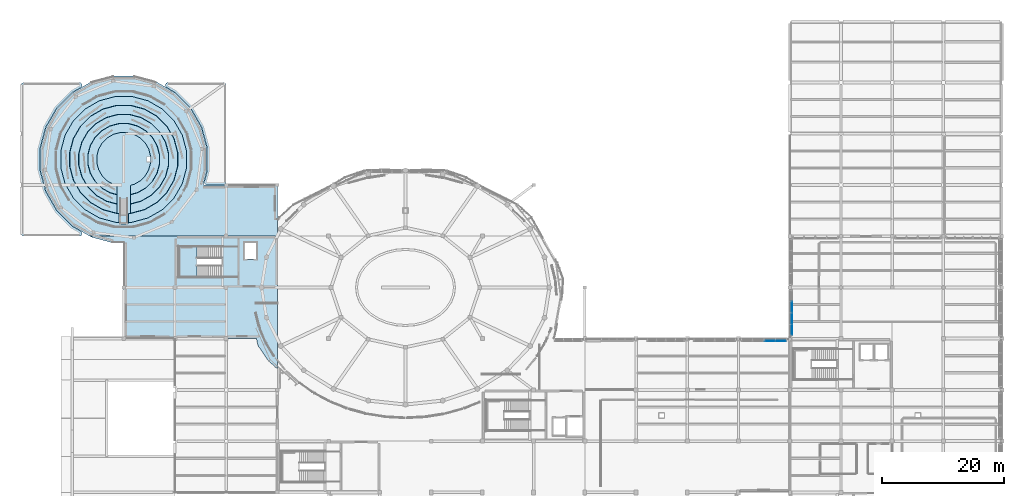
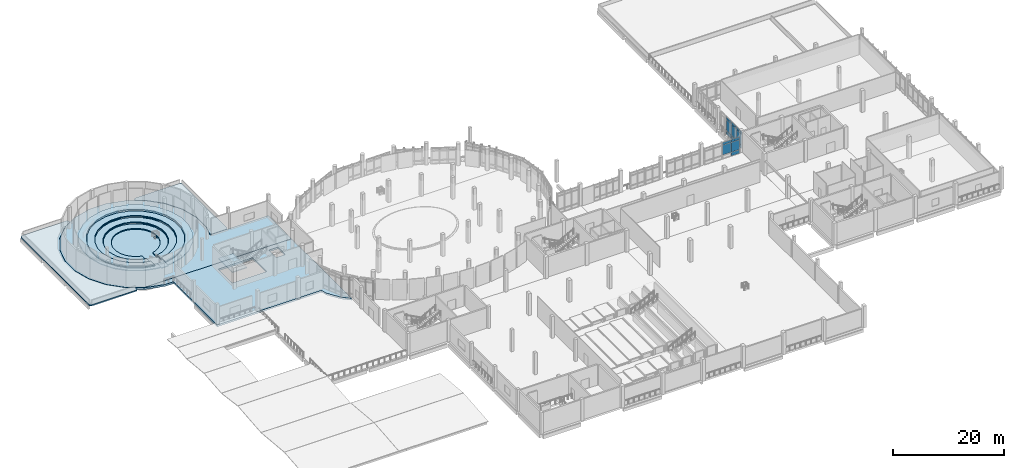
# One storey, part 35 of 63: 14 plates, 10 slabs, 5 elements without a shape of their own.
"""IFC4 building model written with IfcOpenShell, lengths in metres."""

from ifc_helpers import new_model, si_unit, derived_unit, direction, frame, origin, origin_2d, place, context, subcontext, project, spatial, polyline, rectangle, outline, extrude, material, layer, layer_set, type_object, element, aggregate, save


model = new_model("IFC4")

# Units and contexts
model_context = context("Model", 3, precision=1e-05, world=origin(), true_north=direction((0.0, 1.0)))
body_context = subcontext(model_context, "Body", "Model", "MODEL_VIEW")
ifc_project = project(units=[si_unit("LENGTHUNIT", "METRE"), si_unit("AREAUNIT", "SQUARE_METRE"), si_unit("VOLUMEUNIT", "CUBIC_METRE"), si_unit("PLANEANGLEUNIT", "RADIAN"), si_unit("MASSUNIT", "GRAM", prefix="KILO"), derived_unit("THERMALTRANSMITTANCEUNIT", [(si_unit("POWERUNIT", "WATT"), 1), (si_unit("LENGTHUNIT", "METRE"), -2), (si_unit("THERMODYNAMICTEMPERATUREUNIT", "KELVIN"), -1)])], contexts=[model_context])

# Site, building, storey
site_placement = place(None, origin())
site = spatial("IfcSite", under=ifc_project, at=site_placement, CompositionType="ELEMENT")
building_placement = place(site_placement, origin())
building = spatial("IfcBuilding", under=site, at=building_placement, Name="Elbkamm Science Centre", CompositionType="ELEMENT")
storey_placement = place(building_placement, frame((0.0, 0.0, 5.10009765625)))
storey = spatial("IfcBuildingStorey", under=building, at=storey_placement, Name="L01", CompositionType="ELEMENT", Elevation=5.10009765625)

# Curtain wall, plates
ifc_material_1 = material(Name="Powder-coated aluminium and triple low-E glazing", Category="aluminium")
ifc_layer_1 = layer(ifc_material_1, 0.159912109375)
ifc_layer_set_1 = layer_set([ifc_layer_1], Name="Powder-coated aluminium and triple low-E glazing")
curtain_wall_type_1 = type_object("IfcCurtainWallType", Name="CW-UNIT-3640x3700", PredefinedType="USERDEFINED", material=ifc_layer_set_1)
curtain_wall_1_placement = place(storey_placement, origin())
curtain_wall_1 = element("IfcCurtainWall", 1, at=curtain_wall_1_placement, inside=storey, type_object=curtain_wall_type_1, Name="L01 Unitised Curtain Wall 154", ObjectType="UNITISED CURTAIN WALL", PredefinedType="USERDEFINED")
ifc_material_2 = material(Name="Triple solar-control insulated safety glass", Category="glass")
ifc_layer_2 = layer(ifc_material_2, 0.048095703125)
ifc_layer_set_2 = layer_set([ifc_layer_2], Name="Triple solar-control insulated safety glass")
plate_type = type_object("IfcPlateType", Name="CW-PNL-48", PredefinedType="CURTAIN_PANEL", material=ifc_layer_set_2)
plate_1_placement = place(storey_placement, frame((122.736083984375, 58.419921875, 0.885009765625), z_axis=(0.0, 0.0, 1.0), x_axis=(1.0, 0.0, 0.0)))
plate_1 = element("IfcPlate", 2, at=plate_1_placement, type_object=plate_type, Name="CW-073 panel 1.2", PredefinedType="CURTAIN_PANEL", context=body_context, shape_type="SweptSolid", body=[
    extrude(rectangle(XDim=1.716064453125, YDim=0.048095703125, at=origin_2d()), origin(), (0.0, 0.0, 1.0), 2.1298828125),
])
plate_2_placement = place(storey_placement, frame((122.736083984375, 58.419921875, 3.0849609375), z_axis=(0.0, 0.0, 1.0), x_axis=(1.0, 0.0, 0.0)))
plate_2 = element("IfcPlate", 3, at=plate_2_placement, type_object=plate_type, Name="CW-073 panel 1.3", PredefinedType="CURTAIN_PANEL", context=body_context, shape_type="SweptSolid", body=[
    extrude(rectangle(XDim=1.716064453125, YDim=0.048095703125, at=origin_2d()), origin(), (0.0, 0.0, 1.0), 0.544921875),
])
plate_3_placement = place(storey_placement, frame((124.52197265625, 58.419921875, 0.06982421875), z_axis=(0.0, 0.0, 1.0), x_axis=(1.0, 0.0, 0.0)))
plate_3 = element("IfcPlate", 4, at=plate_3_placement, type_object=plate_type, Name="CW-073 panel 2.1", PredefinedType="CURTAIN_PANEL", context=body_context, shape_type="SweptSolid", body=[
    extrude(rectangle(XDim=1.716064453125, YDim=0.048095703125, at=origin_2d()), origin(), (0.0, 0.0, 1.0), 0.7451171875),
])
plate_4_placement = place(storey_placement, frame((124.52197265625, 58.419921875, 0.885009765625), z_axis=(0.0, 0.0, 1.0), x_axis=(1.0, 0.0, 0.0)))
plate_4 = element("IfcPlate", 5, at=plate_4_placement, type_object=plate_type, Name="CW-073 panel 2.2", PredefinedType="CURTAIN_PANEL", context=body_context, shape_type="SweptSolid", body=[
    extrude(rectangle(XDim=1.716064453125, YDim=0.048095703125, at=origin_2d()), origin(), (0.0, 0.0, 1.0), 2.1298828125),
])
plate_5_placement = place(storey_placement, frame((124.52197265625, 58.419921875, 3.0849609375), z_axis=(0.0, 0.0, 1.0), x_axis=(1.0, 0.0, 0.0)))
plate_5 = element("IfcPlate", 6, at=plate_5_placement, type_object=plate_type, Name="CW-073 panel 2.3", PredefinedType="CURTAIN_PANEL", context=body_context, shape_type="SweptSolid", body=[
    extrude(rectangle(XDim=1.716064453125, YDim=0.048095703125, at=origin_2d()), origin(), (0.0, 0.0, 1.0), 0.544921875),
])
aggregate(curtain_wall_1, [plate_1, plate_2, plate_3, plate_4, plate_5])

ifc_layer_3 = layer(ifc_material_1, 0.159912109375)
ifc_layer_set_3 = layer_set([ifc_layer_3], Name="Powder-coated aluminium and triple low-E glazing")
curtain_wall_type_2 = type_object("IfcCurtainWallType", Name="CW-UNIT-3640x3900", PredefinedType="USERDEFINED", material=ifc_layer_set_3)
curtain_wall_2_placement = place(storey_placement, origin())
curtain_wall_2 = element("IfcCurtainWall", 7, at=curtain_wall_2_placement, inside=storey, type_object=curtain_wall_type_2, Name="L01 Unitised Curtain Wall 155", ObjectType="UNITISED CURTAIN WALL", PredefinedType="USERDEFINED")
plate_6_placement = place(storey_placement, frame((126.3798828125, 60.278076171875, 0.06982421875), z_axis=(0.0, 0.0, 1.0), x_axis=(0.0, 1.0, 0.0)))
plate_6 = element("IfcPlate", 8, at=plate_6_placement, type_object=plate_type, Name="CW-065 panel 1.1", PredefinedType="CURTAIN_PANEL", context=body_context, shape_type="SweptSolid", body=[
    extrude(rectangle(XDim=1.716064453125, YDim=0.048095703125, at=origin_2d()), origin(), (0.0, 0.0, 1.0), 0.7451171875),
])
plate_7_placement = place(storey_placement, frame((126.3798828125, 60.278076171875, 0.884765625), z_axis=(0.0, 0.0, 1.0), x_axis=(0.0, 1.0, 0.0)))
plate_7 = element("IfcPlate", 9, at=plate_7_placement, type_object=plate_type, Name="CW-065 panel 1.2", PredefinedType="CURTAIN_PANEL", context=body_context, shape_type="SweptSolid", body=[
    extrude(rectangle(XDim=1.716064453125, YDim=0.048095703125, at=origin_2d()), origin(), (0.0, 0.0, 1.0), 2.330078125),
])
plate_8_placement = place(storey_placement, frame((126.3798828125, 60.278076171875, 3.284912109375), z_axis=(0.0, 0.0, 1.0), x_axis=(0.0, 1.0, 0.0)))
plate_8 = element("IfcPlate", 10, at=plate_8_placement, type_object=plate_type, Name="CW-065 panel 1.3", PredefinedType="CURTAIN_PANEL", context=body_context, shape_type="SweptSolid", body=[
    extrude(rectangle(XDim=1.716064453125, YDim=0.048095703125, at=origin_2d()), origin(), (0.0, 0.0, 1.0), 0.544921875),
])
plate_9_placement = place(storey_placement, frame((126.3798828125, 62.06396484375, 0.06982421875), z_axis=(0.0, 0.0, 1.0), x_axis=(0.0, 1.0, 0.0)))
plate_9 = element("IfcPlate", 11, at=plate_9_placement, type_object=plate_type, Name="CW-065 panel 2.1", PredefinedType="CURTAIN_PANEL", context=body_context, shape_type="SweptSolid", body=[
    extrude(rectangle(XDim=1.716064453125, YDim=0.048095703125, at=origin_2d()), origin(), (0.0, 0.0, 1.0), 0.7451171875),
])
plate_10_placement = place(storey_placement, frame((126.3798828125, 62.06396484375, 0.884765625), z_axis=(0.0, 0.0, 1.0), x_axis=(0.0, 1.0, 0.0)))
plate_10 = element("IfcPlate", 12, at=plate_10_placement, type_object=plate_type, Name="CW-065 panel 2.2", PredefinedType="CURTAIN_PANEL", context=body_context, shape_type="SweptSolid", body=[
    extrude(rectangle(XDim=1.716064453125, YDim=0.048095703125, at=origin_2d()), origin(), (0.0, 0.0, 1.0), 2.330078125),
])
plate_11_placement = place(storey_placement, frame((126.3798828125, 62.06396484375, 3.284912109375), z_axis=(0.0, 0.0, 1.0), x_axis=(0.0, 1.0, 0.0)))
plate_11 = element("IfcPlate", 13, at=plate_11_placement, type_object=plate_type, Name="CW-065 panel 2.3", PredefinedType="CURTAIN_PANEL", context=body_context, shape_type="SweptSolid", body=[
    extrude(rectangle(XDim=1.716064453125, YDim=0.048095703125, at=origin_2d()), origin(), (0.0, 0.0, 1.0), 0.544921875),
])
aggregate(curtain_wall_2, [plate_6, plate_7, plate_8, plate_9, plate_10, plate_11])

curtain_wall_3_placement = place(storey_placement, origin())
curtain_wall_3 = element("IfcCurtainWall", 14, at=curtain_wall_3_placement, inside=storey, type_object=curtain_wall_type_2, Name="L01 Unitised Curtain Wall 156", ObjectType="UNITISED CURTAIN WALL", PredefinedType="USERDEFINED")
plate_12_placement = place(storey_placement, frame((126.3798828125, 63.999755859375, 0.06982421875), z_axis=(0.0, 0.0, 1.0), x_axis=(0.0, 1.0, 0.0)))
plate_12 = element("IfcPlate", 15, at=plate_12_placement, type_object=plate_type, Name="CW-065 panel 1.1", PredefinedType="CURTAIN_PANEL", context=body_context, shape_type="SweptSolid", body=[
    extrude(rectangle(XDim=1.7158203125, YDim=0.048095703125, at=origin_2d()), origin(), (0.0, 0.0, 1.0), 0.7451171875),
])
plate_13_placement = place(storey_placement, frame((126.3798828125, 63.999755859375, 0.884765625), z_axis=(0.0, 0.0, 1.0), x_axis=(0.0, 1.0, 0.0)))
plate_13 = element("IfcPlate", 16, at=plate_13_placement, type_object=plate_type, Name="CW-065 panel 1.2", PredefinedType="CURTAIN_PANEL", context=body_context, shape_type="SweptSolid", body=[
    extrude(rectangle(XDim=1.7158203125, YDim=0.048095703125, at=origin_2d()), origin(), (0.0, 0.0, 1.0), 2.330078125),
])
plate_14_placement = place(storey_placement, frame((126.3798828125, 63.999755859375, 3.284912109375), z_axis=(0.0, 0.0, 1.0), x_axis=(0.0, 1.0, 0.0)))
plate_14 = element("IfcPlate", 17, at=plate_14_placement, type_object=plate_type, Name="CW-065 panel 1.3", PredefinedType="CURTAIN_PANEL", context=body_context, shape_type="SweptSolid", body=[
    extrude(rectangle(XDim=1.7158203125, YDim=0.048095703125, at=origin_2d()), origin(), (0.0, 0.0, 1.0), 0.544921875),
])
aggregate(curtain_wall_3, [plate_12, plate_13, plate_14])

# Slabs
ifc_material_3 = material(Name="Reinforced concrete C40/50", Category="concrete")
ifc_layer_4 = layer(ifc_material_3, 0.39990234375)
ifc_layer_set_4 = layer_set([ifc_layer_4], Name="Reinforced concrete C40/50")
slab_type_1 = type_object("IfcSlabType", Name="SLAB-FLR-400", PredefinedType="FLOOR", material=ifc_layer_set_4)
slab_1_placement = place(storey_placement, frame((0.0, 0.0, -0.400146484375)))
element("IfcSlab", 18, at=slab_1_placement, inside=storey, type_object=slab_type_1, Name="L01 Structural Slab WM-01", PredefinedType="FLOOR", context=body_context, shape_type="SweptSolid", body=[
    extrude(outline(polyline([(40.491943359375, 55.205078125), (38.839599609375, 57.62939453125), (38.557373046875, 58.800048828125), (16.800048828125, 58.800048828125), (16.800048828125, 74.51806640625), (14.998779296875, 74.51806640625), (11.51904296875, 75.450439453125), (11.260009765625, 75.60009765625), (42.0, 75.60009765625), (42.0, 53.877685546875), (40.491943359375, 55.205078125)]), holes=[polyline([(32.97998046875, 73.919921875), (25.800048828125, 73.919921875), (25.800048828125, 68.8798828125), (32.97998046875, 68.8798828125), (32.97998046875, 73.919921875)]), polyline([(38.550048828125, 74.550048828125), (36.64990234375, 74.550048828125), (36.64990234375, 71.85009765625), (38.550048828125, 71.85009765625), (38.550048828125, 74.550048828125)])]), origin(), (0.0, 0.0, 1.0), 0.400146484375),
])
slab_2_placement = place(storey_placement, frame((0.0, 0.0, -0.400146484375)))
element("IfcSlab", 19, at=slab_2_placement, inside=storey, type_object=slab_type_1, Name="L01 Structural Slab WN-02", PredefinedType="FLOOR", context=body_context, shape_type="SweptSolid", body=[
    extrude(outline(polyline([(4.050537109375, 82.9189453125), (3.1181640625, 86.398681640625), (3.1181640625, 90.001220703125), (4.050537109375, 93.48095703125), (5.851806640625, 96.600830078125), (8.399169921875, 99.148193359375), (11.51904296875, 100.949462890625), (14.998779296875, 101.8818359375), (18.601318359375, 101.8818359375), (22.0810546875, 100.949462890625), (25.200927734375, 99.148193359375), (27.748291015625, 96.600830078125), (29.549560546875, 93.48095703125), (30.48193359375, 90.001220703125), (30.48193359375, 86.398681640625), (29.839111328125, 84.0), (42.0, 84.0), (42.0, 78.25830078125), (42.0, 75.60009765625), (11.260009765625, 75.60009765625), (8.399169921875, 77.251708984375), (5.851806640625, 79.799072265625), (4.050537109375, 82.9189453125)]), holes=[polyline([(21.35009765625, 88.550048828125), (20.64990234375, 88.550048828125), (20.64990234375, 87.85009765625), (21.35009765625, 87.85009765625), (21.35009765625, 88.550048828125)])]), origin(), (0.0, 0.0, 1.0), 0.400146484375),
])

# Stair, slab
stair_type_1 = type_object("IfcStairType", Name="ST-TWO-28R-192", PredefinedType="USERDEFINED", material=ifc_material_3)
stair_1_placement = place(storey_placement, origin())
stair_1 = element("IfcStair", 20, at=stair_1_placement, inside=storey, type_object=stair_type_1, Name="L01 Core C1 Northwest Planetarium and Exhibition Core Escape Stair", ObjectType="TWO_RETURN_STAIR", PredefinedType="USERDEFINED")
ifc_layer_5 = layer(ifc_material_3, 0.199951171875)
ifc_layer_set_5 = layer_set([ifc_layer_5], Name="Reinforced concrete C40/50")
slab_type_2 = type_object("IfcSlabType", Name="SLAB-LAND-200", PredefinedType="LANDING", material=ifc_layer_set_5)
slab_3_placement = place(storey_placement, frame((0.0, 0.0, 2.199951171875)))
slab_3 = element("IfcSlab", 21, at=slab_3_placement, type_object=slab_type_2, Name="ST-C1 landing 1", PredefinedType="LANDING", context=body_context, shape_type="SweptSolid", body=[
    extrude(outline(polyline([(28.820068359375, 73.919921875), (25.800048828125, 73.919921875), (25.800048828125, 68.8798828125), (28.820068359375, 68.8798828125), (28.820068359375, 73.919921875)])), origin(), (0.0, 0.0, 1.0), 0.199951171875),
])
aggregate(stair_1, [slab_3])

stair_type_2 = type_object("IfcStairType", Name="ST-STR-9R-125", PredefinedType="STRAIGHT_RUN_STAIR", material=ifc_material_3)
stair_2_placement = place(storey_placement, origin())
stair_2 = element("IfcStair", 22, at=stair_2_placement, inside=storey, type_object=stair_type_2, Name="Planetarium Star Chamber Aisle Stair", PredefinedType="STRAIGHT_RUN_STAIR")
slab_4_placement = place(storey_placement, frame((0.0, 0.0, 1.239990234375)))
slab_4 = element("IfcSlab", 23, at=slab_4_placement, type_object=slab_type_2, Name="ST-PA1 landing 1", PredefinedType="LANDING", context=body_context, shape_type="SweptSolid", body=[
    extrude(outline(polyline([(16.10009765625, 77.60009765625), (17.5, 77.60009765625), (17.5, 79.260009765625), (16.10009765625, 79.260009765625), (16.10009765625, 77.60009765625)])), origin(), (0.0, 0.0, 1.0), 0.199951171875),
])
aggregate(stair_2, [slab_4])

# Slabs
ifc_layer_6 = layer(ifc_material_3, 0.27001953125)
ifc_layer_set_6 = layer_set([ifc_layer_6], Name="Reinforced concrete C40/50")
slab_type_3 = type_object("IfcSlabType", Name="SLAB-ROOF-270", PredefinedType="ROOF", material=ifc_layer_set_6)
slab_5_placement = place(storey_placement, frame((0.0, 0.0, -0.27001953125)))
element("IfcSlab", 24, at=slab_5_placement, inside=storey, type_object=slab_type_3, Name="L01 Step-Back Roof Slab 01", PredefinedType="ROOF", context=body_context, shape_type="SweptSolid", body=[
    extrude(outline(polyline([(33.59130859375, 84.39208984375), (33.58056640625, 84.349365234375), (33.565673828125, 84.307861328125), (33.546875, 84.267822265625), (33.524169921875, 84.22998046875), (33.497802734375, 84.194580078125), (33.46826171875, 84.161865234375), (33.435546875, 84.132080078125), (33.39990234375, 84.105712890625), (33.362060546875, 84.0830078125), (33.322265625, 84.064208984375), (33.280517578125, 84.04931640625), (33.23779296875, 84.03857421875), (33.194091796875, 84.0322265625), (33.14990234375, 84.030029296875), (30.464599609375, 84.030029296875), (30.42138671875, 84.031982421875), (30.37841796875, 84.038330078125), (30.336181640625, 84.048583984375), (30.29541015625, 84.06298828125), (30.256103515625, 84.081298828125), (30.218505859375, 84.103271484375), (30.183349609375, 84.128662109375), (30.15087890625, 84.157470703125), (30.121337890625, 84.189208984375), (30.094970703125, 84.2236328125), (30.072021484375, 84.260498046875), (30.052490234375, 84.29931640625), (30.037109375, 84.33984375), (30.025634765625, 84.381591796875), (30.018310546875, 84.42431640625), (30.014892578125, 84.467529296875), (30.015869140625, 84.510986328125), (30.020751953125, 84.55419921875), (30.030029296875, 84.596435546875), (30.23681640625, 85.36767578125), (30.509521484375, 86.38623046875), (30.510986328125, 86.390869140625), (30.511474609375, 86.3935546875), (30.51171875, 86.39599609375), (30.511962890625, 86.398681640625), (30.511962890625, 86.404296875), (30.511962890625, 89.996337890625), (30.511962890625, 90.001220703125), (30.51171875, 90.00390625), (30.511474609375, 90.006591796875), (30.510986328125, 90.009033203125), (30.509521484375, 90.014404296875), (29.57958984375, 93.48388671875), (29.57861328125, 93.48876953125), (29.57763671875, 93.4912109375), (29.57666015625, 93.49365234375), (29.575439453125, 93.49609375), (29.57275390625, 93.500732421875), (28.709716796875, 94.99560546875), (27.776611328125, 96.611572265625), (27.7744140625, 96.615966796875), (27.77294921875, 96.6181640625), (27.771240234375, 96.6201171875), (27.76953125, 96.6220703125), (27.765625, 96.6259765625), (25.2255859375, 99.166015625), (25.22216796875, 99.16943359375), (25.22021484375, 99.17138671875), (25.218017578125, 99.1728515625), (25.2158203125, 99.17431640625), (25.211181640625, 99.177001953125), (24.340576171875, 99.6796875), (23.8544921875, 99.960205078125), (23.81787109375, 99.98388671875), (23.78369140625, 100.010986328125), (23.752197265625, 100.041259765625), (23.723876953125, 100.07421875), (23.69873046875, 100.110107421875), (23.67724609375, 100.14794921875), (23.65966796875, 100.18798828125), (23.64599609375, 100.229248046875), (23.63623046875, 100.27197265625), (23.630859375, 100.315185546875), (23.62939453125, 100.358642578125), (23.632568359375, 100.402099609375), (23.6396484375, 100.4453125), (23.65087890625, 100.4873046875), (23.666259765625, 100.5283203125), (23.685302734375, 100.5673828125), (23.708251953125, 100.6044921875), (23.734619140625, 100.639404296875), (23.764404296875, 100.67138671875), (23.796875, 100.7001953125), (23.832275390625, 100.72607421875), (23.86962890625, 100.748046875), (23.9091796875, 100.7666015625), (23.950439453125, 100.781005859375), (23.99267578125, 100.79150390625), (24.035888671875, 100.7978515625), (24.079345703125, 100.800048828125), (33.14990234375, 100.800048828125), (33.194091796875, 100.7978515625), (33.23779296875, 100.79150390625), (33.280517578125, 100.780517578125), (33.322265625, 100.765625), (33.362060546875, 100.746826171875), (33.39990234375, 100.72412109375), (33.435546875, 100.697998046875), (33.46826171875, 100.668212890625), (33.497802734375, 100.635498046875), (33.524169921875, 100.60009765625), (33.546875, 100.56201171875), (33.565673828125, 100.522216796875), (33.58056640625, 100.480712890625), (33.59130859375, 100.437744140625), (33.597900390625, 100.39404296875), (33.60009765625, 100.35009765625), (33.60009765625, 84.47998046875), (33.597900390625, 84.435791015625), (33.59130859375, 84.39208984375)])), origin(), (0.0, 0.0, 1.0), 0.27001953125),
])
slab_6_placement = place(storey_placement, frame((0.0, 0.0, -0.27001953125)))
element("IfcSlab", 25, at=slab_6_placement, inside=storey, type_object=slab_type_3, Name="L01 Step-Back Roof Slab 02", PredefinedType="ROOF", context=body_context, shape_type="SweptSolid", body=[
    extrude(outline(polyline([(0.008544921875, 100.437744140625), (0.019287109375, 100.480712890625), (0.0341796875, 100.522216796875), (0.052978515625, 100.56201171875), (0.07568359375, 100.60009765625), (0.10205078125, 100.635498046875), (0.1318359375, 100.668212890625), (0.16455078125, 100.697998046875), (0.199951171875, 100.72412109375), (0.23779296875, 100.746826171875), (0.27783203125, 100.765625), (0.3193359375, 100.780517578125), (0.3623046875, 100.79150390625), (0.406005859375, 100.7978515625), (0.449951171875, 100.800048828125), (9.5205078125, 100.800048828125), (9.564208984375, 100.7978515625), (9.607421875, 100.79150390625), (9.649658203125, 100.781005859375), (9.69091796875, 100.7666015625), (9.730224609375, 100.748046875), (9.767822265625, 100.72607421875), (9.802978515625, 100.7001953125), (9.835693359375, 100.67138671875), (9.865234375, 100.639404296875), (9.8916015625, 100.6044921875), (9.91455078125, 100.5673828125), (9.933837890625, 100.5283203125), (9.94921875, 100.4873046875), (9.96044921875, 100.4453125), (9.967529296875, 100.402099609375), (9.970458984375, 100.358642578125), (9.96923828125, 100.315185546875), (9.963623046875, 100.27197265625), (9.9541015625, 100.229248046875), (9.9404296875, 100.18798828125), (9.922607421875, 100.14794921875), (9.9013671875, 100.110107421875), (9.876220703125, 100.07421875), (9.847900390625, 100.041259765625), (9.81640625, 100.010986328125), (9.7822265625, 99.98388671875), (9.74560546875, 99.960205078125), (8.388427734375, 99.1767578125), (8.384033203125, 99.17431640625), (8.3818359375, 99.1728515625), (8.3798828125, 99.17138671875), (8.3779296875, 99.16943359375), (8.3740234375, 99.16552734375), (6.6826171875, 97.47412109375), (5.833984375, 96.62548828125), (5.83056640625, 96.6220703125), (5.82861328125, 96.6201171875), (5.8271484375, 96.6181640625), (5.82568359375, 96.615966796875), (5.822998046875, 96.611083984375), (5.064208984375, 95.297119140625), (4.027099609375, 93.500244140625), (4.0244140625, 93.49609375), (4.023193359375, 93.49365234375), (4.022216796875, 93.4912109375), (4.021484375, 93.48876953125), (4.02001953125, 93.4833984375), (3.79541015625, 92.6455078125), (3.09033203125, 90.013916015625), (3.089111328125, 90.009033203125), (3.088623046875, 90.006591796875), (3.088134765625, 90.00390625), (3.088134765625, 90.001220703125), (3.088134765625, 89.995849609375), (3.088134765625, 86.403564453125), (3.088134765625, 86.398681640625), (3.088134765625, 86.39599609375), (3.088623046875, 86.3935546875), (3.089111328125, 86.390869140625), (3.090576171875, 86.385498046875), (3.7021484375, 84.103271484375), (4.020263671875, 82.916015625), (4.021484375, 82.9111328125), (4.022216796875, 82.90869140625), (4.023193359375, 82.90625), (4.0244140625, 82.904052734375), (4.02734375, 82.899169921875), (5.8232421875, 79.788330078125), (5.82568359375, 79.7841796875), (5.8271484375, 79.781982421875), (5.82861328125, 79.77978515625), (5.83056640625, 79.77783203125), (5.83447265625, 79.77392578125), (7.104248046875, 78.504150390625), (8.37451171875, 77.23388671875), (8.3779296875, 77.23046875), (8.3798828125, 77.228759765625), (8.3818359375, 77.22705078125), (8.384033203125, 77.2255859375), (8.388916015625, 77.222900390625), (9.74560546875, 76.439697265625), (9.7822265625, 76.416015625), (9.81640625, 76.38916015625), (9.847900390625, 76.35888671875), (9.876220703125, 76.32568359375), (9.9013671875, 76.289794921875), (9.922607421875, 76.251953125), (9.9404296875, 76.212158203125), (9.9541015625, 76.170654296875), (9.963623046875, 76.128173828125), (9.96923828125, 76.0849609375), (9.970458984375, 76.041259765625), (9.967529296875, 75.997802734375), (9.96044921875, 75.95458984375), (9.94921875, 75.91259765625), (9.933837890625, 75.871826171875), (9.91455078125, 75.83251953125), (9.8916015625, 75.79541015625), (9.865234375, 75.7607421875), (9.835693359375, 75.728759765625), (9.802978515625, 75.69970703125), (9.767822265625, 75.674072265625), (9.730224609375, 75.65185546875), (9.69091796875, 75.63330078125), (9.649658203125, 75.618896484375), (9.607421875, 75.6083984375), (9.564208984375, 75.60205078125), (9.5205078125, 75.60009765625), (0.449951171875, 75.60009765625), (0.406005859375, 75.602294921875), (0.3623046875, 75.608642578125), (0.3193359375, 75.619384765625), (0.27783203125, 75.63427734375), (0.23779296875, 75.653076171875), (0.199951171875, 75.67578125), (0.16455078125, 75.7021484375), (0.1318359375, 75.731689453125), (0.10205078125, 75.764404296875), (0.07568359375, 75.800048828125), (0.052978515625, 75.837890625), (0.0341796875, 75.877685546875), (0.019287109375, 75.91943359375), (0.008544921875, 75.962158203125), (0.002197265625, 76.005859375), (0.0, 76.050048828125), (0.0, 100.35009765625), (0.002197265625, 100.39404296875), (0.008544921875, 100.437744140625)])), origin(), (0.0, 0.0, 1.0), 0.27001953125),
])
ifc_material_4 = material(Name="Precast concrete C40/50", Category="concrete")
ifc_layer_7 = layer(ifc_material_4, 0.2099609375)
ifc_layer_set_7 = layer_set([ifc_layer_7], Name="Precast concrete C40/50")
slab_type_4 = type_object("IfcSlabType", Name="SLAB-TIER-210", PredefinedType="USERDEFINED", material=ifc_layer_set_7)
slab_7_placement = place(storey_placement, frame((0.0, 0.0, 1.22998046875)))
element("IfcSlab", 26, at=slab_7_placement, inside=storey, type_object=slab_type_4, Name="Planetarium Star Chamber Seating Tier 1 Section 1", ObjectType="SEATING TIER", PredefinedType="USERDEFINED", context=body_context, shape_type="SweptSolid", body=[
    extrude(outline(polyline([(26.408203125, 84.22021484375), (25.05078125, 81.868896484375), (23.131103515625, 79.94921875), (20.77978515625, 78.591796875), (18.157470703125, 77.888916015625), (17.550048828125, 77.888916015625), (17.550048828125, 79.33642578125), (17.966796875, 79.33642578125), (20.22119140625, 79.9404296875), (22.2421875, 81.107421875), (23.892578125, 82.7578125), (25.0595703125, 84.77880859375), (25.66357421875, 87.033203125), (25.66357421875, 89.366943359375), (25.0595703125, 91.62109375), (23.892578125, 93.642333984375), (22.2421875, 95.29248046875), (20.22119140625, 96.45947265625), (17.966796875, 97.0634765625), (15.633056640625, 97.0634765625), (13.37890625, 96.45947265625), (11.357666015625, 95.29248046875), (9.70751953125, 93.642333984375), (8.54052734375, 91.62109375), (7.9365234375, 89.366943359375), (7.9365234375, 87.033203125), (8.54052734375, 84.77880859375), (9.70751953125, 82.7578125), (11.357666015625, 81.107421875), (13.37890625, 79.9404296875), (15.633056640625, 79.33642578125), (16.050048828125, 79.33642578125), (16.050048828125, 77.888916015625), (15.4423828125, 77.888916015625), (12.820068359375, 78.591796875), (10.468994140625, 79.94921875), (8.549072265625, 81.868896484375), (7.191650390625, 84.22021484375), (6.489013671875, 86.842529296875), (6.489013671875, 89.5576171875), (7.191650390625, 92.179931640625), (8.549072265625, 94.531005859375), (10.468994140625, 96.450927734375), (12.820068359375, 97.808349609375), (15.4423828125, 98.510986328125), (18.157470703125, 98.510986328125), (20.77978515625, 97.808349609375), (23.131103515625, 96.450927734375), (25.05078125, 94.531005859375), (26.408203125, 92.179931640625), (27.111083984375, 89.5576171875), (27.111083984375, 86.842529296875), (26.408203125, 84.22021484375)])), origin(), (0.0, 0.0, 1.0), 0.2099609375),
])
slab_8_placement = place(storey_placement, frame((0.0, 0.0, 0.869873046875)))
element("IfcSlab", 27, at=slab_8_placement, inside=storey, type_object=slab_type_4, Name="Planetarium Star Chamber Seating Tier 2 Section 1", ObjectType="SEATING TIER", PredefinedType="USERDEFINED", context=body_context, shape_type="SweptSolid", body=[
    extrude(outline(polyline([(25.0224609375, 84.794189453125), (23.86083984375, 82.781982421875), (22.218017578125, 81.13916015625), (20.205810546875, 79.9775390625), (17.961669921875, 79.376220703125), (17.89990234375, 79.376220703125), (17.89990234375, 80.858154296875), (19.647216796875, 81.326416015625), (21.3291015625, 82.297607421875), (22.702392578125, 83.6708984375), (23.673583984375, 85.352783203125), (24.17626953125, 87.22900390625), (24.17626953125, 89.171142578125), (23.673583984375, 91.047119140625), (22.702392578125, 92.729248046875), (21.3291015625, 94.1025390625), (19.647216796875, 95.07373046875), (17.77099609375, 95.576416015625), (15.828857421875, 95.576416015625), (13.952880859375, 95.07373046875), (12.270751953125, 94.1025390625), (10.8974609375, 92.729248046875), (9.92626953125, 91.047119140625), (9.423583984375, 89.171142578125), (9.423583984375, 87.22900390625), (9.92626953125, 85.352783203125), (10.8974609375, 83.6708984375), (12.270751953125, 82.297607421875), (13.952880859375, 81.326416015625), (15.699951171875, 80.858154296875), (15.699951171875, 79.376220703125), (15.63818359375, 79.376220703125), (13.39404296875, 79.9775390625), (11.382080078125, 81.13916015625), (9.7392578125, 82.781982421875), (8.577392578125, 84.794189453125), (7.97607421875, 87.038330078125), (7.97607421875, 89.36181640625), (8.577392578125, 91.60595703125), (9.7392578125, 93.617919921875), (11.382080078125, 95.2607421875), (13.39404296875, 96.422607421875), (15.63818359375, 97.02392578125), (17.961669921875, 97.02392578125), (20.205810546875, 96.422607421875), (22.218017578125, 95.2607421875), (23.86083984375, 93.617919921875), (25.0224609375, 91.60595703125), (25.623779296875, 89.36181640625), (25.623779296875, 87.038330078125), (25.0224609375, 84.794189453125)])), origin(), (0.0, 0.0, 1.0), 0.2099609375),
])
slab_9_placement = place(storey_placement, frame((0.0, 0.0, 0.510009765625)))
element("IfcSlab", 28, at=slab_9_placement, inside=storey, type_object=slab_type_4, Name="Planetarium Star Chamber Seating Tier 3 Section 1", ObjectType="SEATING TIER", PredefinedType="USERDEFINED", context=body_context, shape_type="SweptSolid", body=[
    extrude(outline(polyline([(23.63671875, 85.3681640625), (22.6708984375, 83.6953125), (21.3046875, 82.3291015625), (19.6318359375, 81.36328125), (17.89990234375, 80.899169921875), (17.89990234375, 82.397705078125), (19.072998046875, 82.712158203125), (20.416015625, 83.487548828125), (21.512451171875, 84.583984375), (22.287841796875, 85.927001953125), (22.689208984375, 87.4248046875), (22.689208984375, 88.975341796875), (22.287841796875, 90.47314453125), (21.512451171875, 91.81591796875), (20.416015625, 92.91259765625), (19.072998046875, 93.687744140625), (17.5751953125, 94.089111328125), (16.024658203125, 94.089111328125), (14.52685546875, 93.687744140625), (13.18408203125, 92.91259765625), (12.08740234375, 91.81591796875), (11.312255859375, 90.47314453125), (10.910888671875, 88.975341796875), (10.910888671875, 87.4248046875), (11.312255859375, 85.927001953125), (12.08740234375, 84.583984375), (13.18408203125, 83.487548828125), (14.52685546875, 82.712158203125), (15.699951171875, 82.397705078125), (15.699951171875, 80.899169921875), (13.968017578125, 81.36328125), (12.295166015625, 82.3291015625), (10.92919921875, 83.6953125), (9.96337890625, 85.3681640625), (9.46337890625, 87.234130859375), (9.46337890625, 89.166015625), (9.96337890625, 91.031982421875), (10.92919921875, 92.704833984375), (12.295166015625, 94.07080078125), (13.968017578125, 95.03662109375), (15.833984375, 95.53662109375), (17.765869140625, 95.53662109375), (19.6318359375, 95.03662109375), (21.3046875, 94.07080078125), (22.6708984375, 92.704833984375), (23.63671875, 91.031982421875), (24.13671875, 89.166015625), (24.13671875, 87.234130859375), (23.63671875, 85.3681640625)])), origin(), (0.0, 0.0, 1.0), 0.2099609375),
])
slab_10_placement = place(storey_placement, frame((0.0, 0.0, 0.14990234375)))
element("IfcSlab", 29, at=slab_10_placement, inside=storey, type_object=slab_type_4, Name="Planetarium Star Chamber Seating Tier 4 Section 1", ObjectType="SEATING TIER", PredefinedType="USERDEFINED", context=body_context, shape_type="SweptSolid", body=[
    extrude(outline(polyline([(22.2509765625, 85.942138671875), (21.480712890625, 84.6083984375), (20.3916015625, 83.519287109375), (19.057861328125, 82.7490234375), (17.89990234375, 82.43896484375), (17.89990234375, 83.9375), (18.4990234375, 84.097900390625), (19.5029296875, 84.677490234375), (20.322509765625, 85.4970703125), (20.902099609375, 86.5009765625), (21.201904296875, 87.62060546875), (21.201904296875, 88.779541015625), (20.902099609375, 89.899169921875), (20.322509765625, 90.90283203125), (19.5029296875, 91.722412109375), (18.4990234375, 92.302001953125), (17.37939453125, 92.60205078125), (16.220458984375, 92.60205078125), (15.100830078125, 92.302001953125), (14.09716796875, 91.722412109375), (13.277587890625, 90.90283203125), (12.697998046875, 89.899169921875), (12.39794921875, 88.779541015625), (12.39794921875, 87.62060546875), (12.697998046875, 86.5009765625), (13.277587890625, 85.4970703125), (14.09716796875, 84.677490234375), (15.100830078125, 84.097900390625), (15.699951171875, 83.9375), (15.699951171875, 82.43896484375), (14.542236328125, 82.7490234375), (13.208251953125, 83.519287109375), (12.119140625, 84.6083984375), (11.34912109375, 85.942138671875), (10.950439453125, 87.429931640625), (10.950439453125, 88.97021484375), (11.34912109375, 90.457763671875), (12.119140625, 91.791748046875), (13.208251953125, 92.880859375), (14.542236328125, 93.65087890625), (16.02978515625, 94.049560546875), (17.570068359375, 94.049560546875), (19.057861328125, 93.65087890625), (20.3916015625, 92.880859375), (21.480712890625, 91.791748046875), (22.2509765625, 90.457763671875), (22.6494140625, 88.97021484375), (22.6494140625, 87.429931640625), (22.2509765625, 85.942138671875)])), origin(), (0.0, 0.0, 1.0), 0.2099609375),
])

save(model, "model.ifc")
